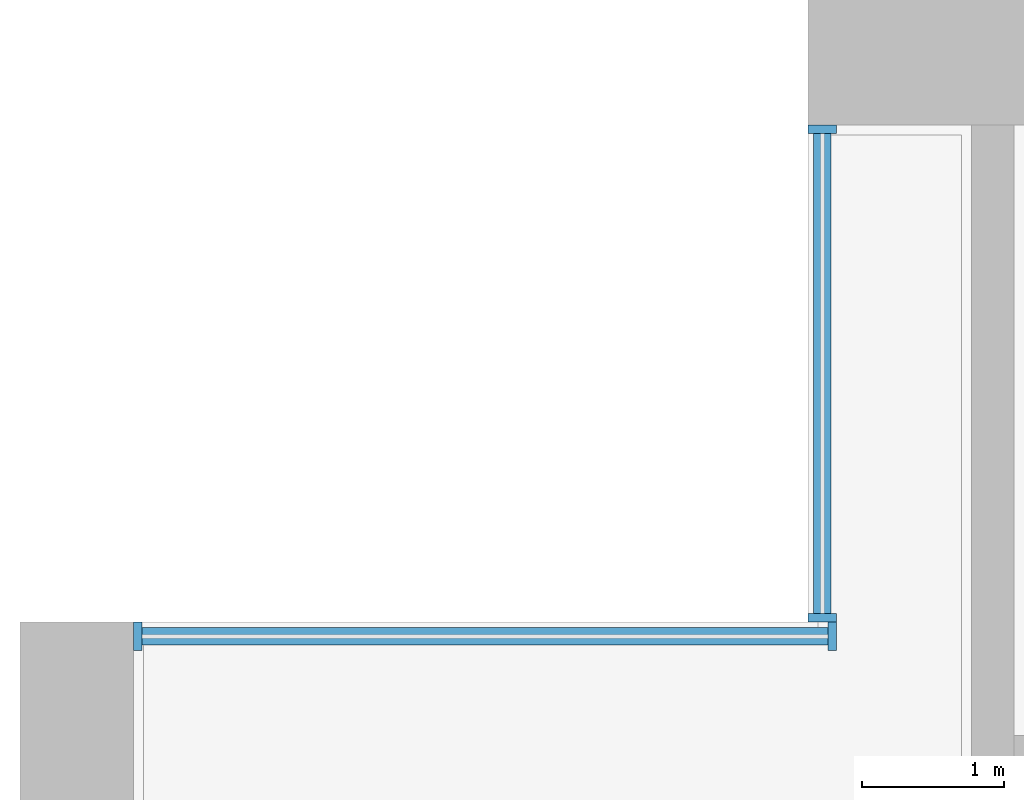
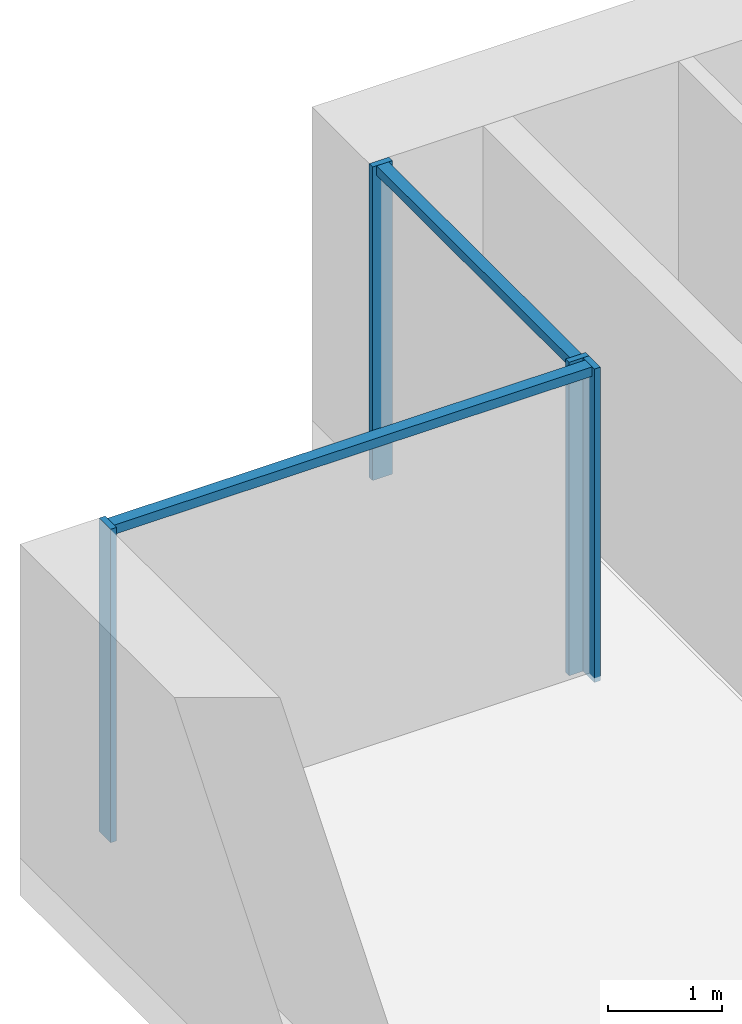
# One storey, part 4 of 18: 6 members, 2 elements without a shape of their own.
"""IFC4 building model written with IfcOpenShell, lengths in metres."""

from ifc_helpers import new_model, si_unit, direction, frame, origin, origin_2d, place, context, subcontext, project, spatial, rectangle, extrude, material, material_profile, profile_set, type_object, element, aggregate, save


model = new_model("IFC4")

# Units and contexts
model_context = context("Model", 3, precision=1e-05, world=origin(), true_north=direction((0.0, 1.0)))
body_context = subcontext(model_context, "Body", "Model", "MODEL_VIEW")
ifc_project = project(units=[si_unit("LENGTHUNIT", "METRE"), si_unit("AREAUNIT", "SQUARE_METRE"), si_unit("VOLUMEUNIT", "CUBIC_METRE"), si_unit("PLANEANGLEUNIT", "RADIAN"), si_unit("MASSUNIT", "GRAM", prefix="KILO")], contexts=[model_context])

# Site, building, storey
site_placement = place(None, origin())
site = spatial("IfcSite", under=ifc_project, at=site_placement, CompositionType="ELEMENT")
building_placement = place(site_placement, origin())
building = spatial("IfcBuilding", under=site, at=building_placement, Name="Calvaro Tower", CompositionType="ELEMENT")
storey_placement = place(building_placement, frame((0.0, 0.0, 78.75)))
storey = spatial("IfcBuildingStorey", under=building, at=storey_placement, Name="L19", CompositionType="ELEMENT", Elevation=78.75)

# Curtain wall, members
ifc_material_1 = material(Name="Anodised aluminium", Category="aluminium")
curtain_wall_type = type_object("IfcCurtainWallType", Name="Office curtain wall, lower zone", PredefinedType="NOTDEFINED", material=ifc_material_1)
curtain_wall_1_placement = place(storey_placement, origin())
curtain_wall_1 = element("IfcCurtainWall", 1, at=curtain_wall_1_placement, inside=storey, type_object=curtain_wall_type, Name="CW1 corner curtain wall", PredefinedType="NOTDEFINED")
ifc_material_2 = material(Name="Anodised aluminium", Category="aluminium")
ifc_material_profile_1 = material_profile(ifc_material_2, rectangle(XDim=0.199951171875, YDim=0.06005859375, at=origin_2d()), Name="Mullion S1 60 x 200")
ifc_profile_set_1 = profile_set([ifc_material_profile_1], Name="Anodised aluminium")
member_type_1 = type_object("IfcMemberType", Name="Mullion S1 60 x 200", PredefinedType="MULLION", material=ifc_profile_set_1)
member_1_placement = place(storey_placement, frame((5.64990234375, 41.530029296875, 0.0), z_axis=(0.0, 0.0, 1.0), x_axis=(-1.0, 0.0, 0.0)))
member_1 = element("IfcMember", 2, at=member_1_placement, type_object=member_type_1, Name="CW1 mullion 1", PredefinedType="MULLION", context=body_context, shape_type="SweptSolid", body=[
    extrude(rectangle(XDim=0.199951171875, YDim=0.06005859375, at=origin_2d()), origin(), (0.0, 0.0, 1.0), 3.35009765625),
])
member_2_placement = place(storey_placement, frame((5.64990234375, 44.969970703125, 0.0), z_axis=(0.0, 0.0, 1.0), x_axis=(-1.0, 0.0, 0.0)))
member_2 = element("IfcMember", 3, at=member_2_placement, type_object=member_type_1, Name="CW1 mullion 2", PredefinedType="MULLION", context=body_context, shape_type="SweptSolid", body=[
    extrude(rectangle(XDim=0.199951171875, YDim=0.06005859375, at=origin_2d()), origin(), (0.0, 0.0, 1.0), 3.35009765625),
])

curtain_wall_2_placement = place(storey_placement, origin())
curtain_wall_2 = element("IfcCurtainWall", 4, at=curtain_wall_2_placement, inside=storey, type_object=curtain_wall_type, Name="CW1 corner curtain wall", PredefinedType="NOTDEFINED")
member_3_placement = place(storey_placement, frame((0.830078125, 41.39990234375, 0.0), z_axis=(0.0, 0.0, 1.0), x_axis=(0.0, 1.0, 0.0)))
member_3 = element("IfcMember", 5, at=member_3_placement, type_object=member_type_1, Name="CW1 mullion 1", PredefinedType="MULLION", context=body_context, shape_type="SweptSolid", body=[
    extrude(rectangle(XDim=0.199951171875, YDim=0.06005859375, at=origin_2d()), origin(), (0.0, 0.0, 1.0), 3.35009765625),
])
member_4_placement = place(storey_placement, frame((5.719970703125, 41.39990234375, 0.0), z_axis=(0.0, 0.0, 1.0), x_axis=(0.0, 1.0, 0.0)))
member_4 = element("IfcMember", 6, at=member_4_placement, type_object=member_type_1, Name="CW1 mullion 2", PredefinedType="MULLION", context=body_context, shape_type="SweptSolid", body=[
    extrude(rectangle(XDim=0.199951171875, YDim=0.06005859375, at=origin_2d()), origin(), (0.0, 0.0, 1.0), 3.35009765625),
])

# Member
ifc_material_3 = material(Name="Anodised aluminium", Category="aluminium")
ifc_material_profile_2 = material_profile(ifc_material_3, rectangle(XDim=0.1201171875, YDim=0.10009765625, at=origin_2d()), Name="Transom S1 100 x 120")
ifc_profile_set_2 = profile_set([ifc_material_profile_2], Name="Anodised aluminium")
member_type_2 = type_object("IfcMemberType", Name="Transom S1 100 x 120", PredefinedType="USERDEFINED", material=ifc_profile_set_2)
member_5_placement = place(storey_placement, frame((5.64990234375, 41.56005859375, 3.300048828125), z_axis=(0.0, 1.0, 0.0), x_axis=(-1.0, 0.0, 0.0)))
member_5 = element("IfcMember", 7, at=member_5_placement, type_object=member_type_2, Name="CW1 transom 1.1", ObjectType="TRANSOM", PredefinedType="USERDEFINED", context=body_context, shape_type="SweptSolid", body=[
    extrude(rectangle(XDim=0.1201171875, YDim=0.10009765625, at=origin_2d()), origin(), (0.0, 0.0, 1.0), 3.3798828125),
])

aggregate(curtain_wall_1, [member_1, member_2, member_5])

member_6_placement = place(storey_placement, frame((0.860107421875, 41.39990234375, 3.300048828125), z_axis=(1.0, 0.0, 0.0), x_axis=(0.0, 1.0, 0.0)))
member_6 = element("IfcMember", 8, at=member_6_placement, type_object=member_type_2, Name="CW1 transom 1.1", ObjectType="TRANSOM", PredefinedType="USERDEFINED", context=body_context, shape_type="SweptSolid", body=[
    extrude(rectangle(XDim=0.1201171875, YDim=0.10009765625, at=origin_2d()), origin(), (0.0, 0.0, 1.0), 4.829833984375),
])

aggregate(curtain_wall_2, [member_3, member_4, member_6])

save(model, "model.ifc")
